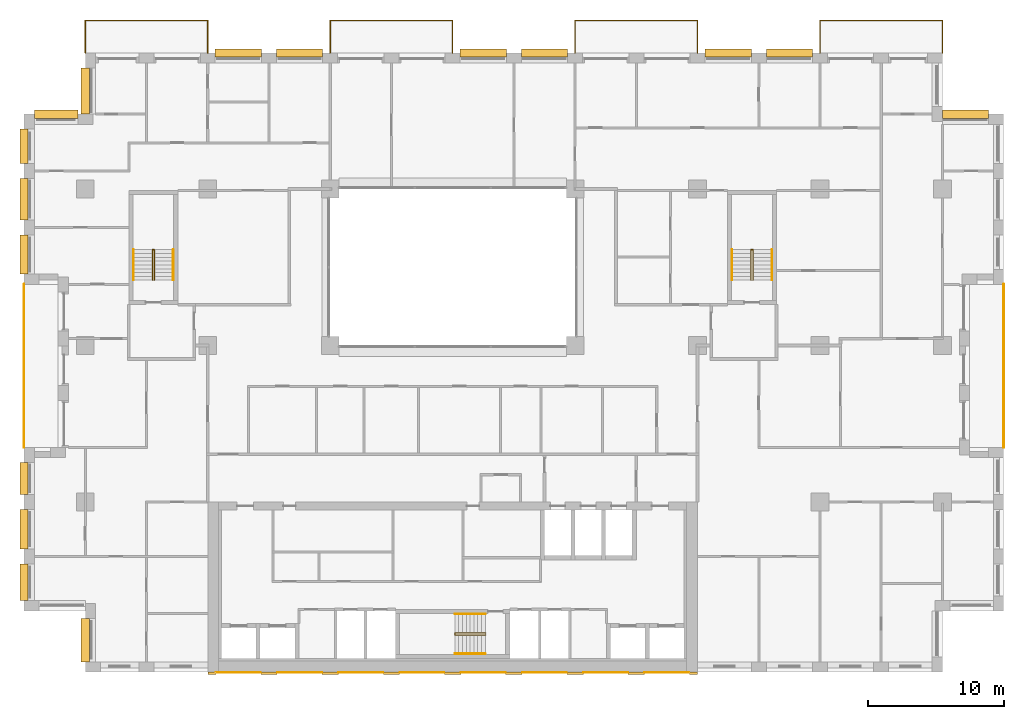
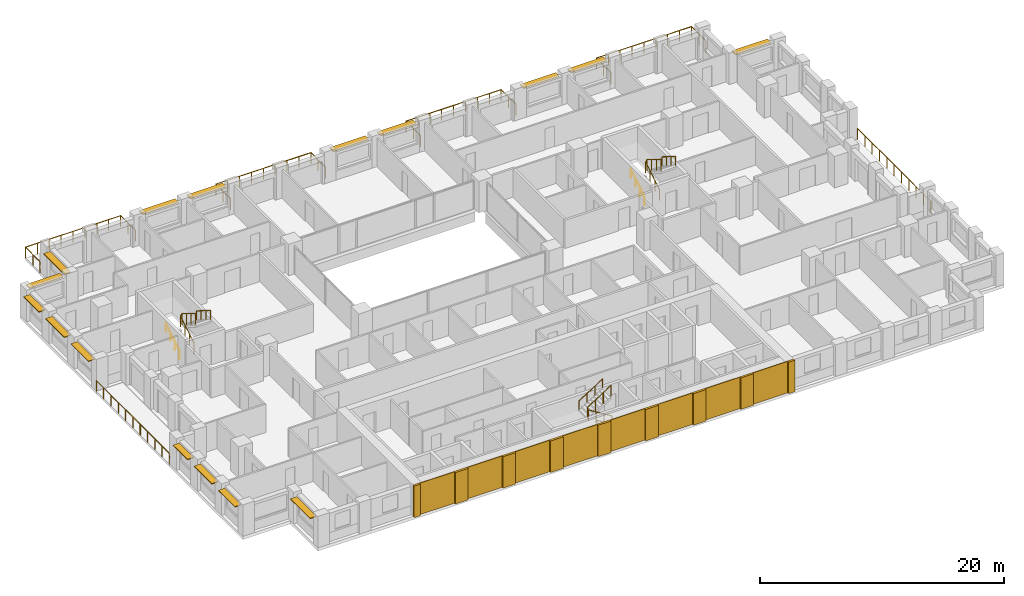
# One storey, part 16 of 16: 17 coverings, 16 shading devices, 15 railings.
"""IFC4 building model written with IfcOpenShell, lengths in metres."""

from ifc_helpers import new_model, si_unit, direction, frame, origin, origin_2d, place, context, subcontext, project, spatial, rectangle, circle, extrude, material, layer, layer_set, type_object, element, save


model = new_model("IFC4")

# Units and contexts
model_context = context("Model", 3, precision=1e-05, world=origin(), true_north=direction((0.0, 1.0)))
body_context = subcontext(model_context, "Body", "Model", "MODEL_VIEW")
ifc_project = project(units=[si_unit("LENGTHUNIT", "METRE"), si_unit("AREAUNIT", "SQUARE_METRE"), si_unit("VOLUMEUNIT", "CUBIC_METRE"), si_unit("PLANEANGLEUNIT", "RADIAN"), si_unit("MASSUNIT", "GRAM", prefix="KILO")], contexts=[model_context])

# Site, building, storey
site_placement = place(None, origin())
site = spatial("IfcSite", under=ifc_project, at=site_placement, CompositionType="ELEMENT")
building_placement = place(site_placement, origin())
building = spatial("IfcBuilding", under=site, at=building_placement, Name="Brigalow Station Residences", CompositionType="ELEMENT")
storey_placement = place(building_placement, frame((0.0, 0.0, 99.300048828125)))
storey = spatial("IfcBuildingStorey", under=building, at=storey_placement, Name="L28", CompositionType="ELEMENT", Elevation=99.300048828125)

# Railings
ifc_material_1 = material(Name="Stainless steel balustrade with laminated glass infill", Category="steel")
railing_type_1 = type_object("IfcRailingType", Name="BALCONY GUARD 1100", PredefinedType="GUARDRAIL", material=ifc_material_1)
railing_1_placement = place(storey_placement, frame((76.5, 16.5, -0.0400390625)))
element("IfcRailing", 1, at=railing_1_placement, inside=storey, type_object=railing_type_1, Name="L28/balcony-guard/1", PredefinedType="GUARDRAIL", context=body_context, shape_type="SweptSolid", body=[
    extrude(circle(Radius=0.02392578125, at=origin_2d()), frame((0.0, 0.0, 1.076171875), z_axis=(0.0, 1.0, 0.0), x_axis=(-1.0, 0.0, 0.0)), (0.0, 0.0, 1.0), 12.0),
    extrude(circle(Radius=0.02099609375, at=origin_2d()), origin(), (0.0, 0.0, 1.0), 1.052001953125),
    extrude(circle(Radius=0.02099609375, at=origin_2d()), frame((0.0, 1.199951171875, 0.0)), (0.0, 0.0, 1.0), 1.052001953125),
    extrude(circle(Radius=0.02099609375, at=origin_2d()), frame((0.0, 2.39990234375, 0.0)), (0.0, 0.0, 1.0), 1.052001953125),
    extrude(circle(Radius=0.02099609375, at=origin_2d()), frame((0.0, 3.60009765625, 0.0)), (0.0, 0.0, 1.0), 1.052001953125),
    extrude(circle(Radius=0.02099609375, at=origin_2d()), frame((0.0, 4.800048828125, 0.0)), (0.0, 0.0, 1.0), 1.052001953125),
    extrude(circle(Radius=0.02099609375, at=origin_2d()), frame((0.0, 6.0, 0.0)), (0.0, 0.0, 1.0), 1.052001953125),
    extrude(circle(Radius=0.02099609375, at=origin_2d()), frame((0.0, 7.199951171875, 0.0)), (0.0, 0.0, 1.0), 1.052001953125),
    extrude(circle(Radius=0.02099609375, at=origin_2d()), frame((0.0, 8.39990234375, 0.0)), (0.0, 0.0, 1.0), 1.052001953125),
    extrude(circle(Radius=0.02099609375, at=origin_2d()), frame((0.0, 9.60009765625, 0.0)), (0.0, 0.0, 1.0), 1.052001953125),
    extrude(circle(Radius=0.02099609375, at=origin_2d()), frame((0.0, 10.800048828125, 0.0)), (0.0, 0.0, 1.0), 1.052001953125),
    extrude(circle(Radius=0.02099609375, at=origin_2d()), frame((0.0, 12.0, 0.0)), (0.0, 0.0, 1.0), 1.052001953125),
])
railing_2_placement = place(storey_placement, frame((72.0, 45.5, -0.0400390625)))
element("IfcRailing", 2, at=railing_2_placement, inside=storey, type_object=railing_type_1, Name="L28/balcony-guard/2", PredefinedType="GUARDRAIL", context=body_context, shape_type="SweptSolid", body=[
    extrude(circle(Radius=0.02392578125, at=origin_2d()), frame((0.0, 0.0, 1.076171875), z_axis=(0.0, 1.0, 0.0), x_axis=(-1.0, 0.0, 0.0)), (0.0, 0.0, 1.0), 2.39990234375),
    extrude(circle(Radius=0.02392578125, at=origin_2d()), frame((0.0, 2.39990234375, 1.076171875), z_axis=(-1.0, 0.0, 0.0), x_axis=(0.0, -1.0, 0.0)), (0.0, 0.0, 1.0), 9.0),
    extrude(circle(Radius=0.02392578125, at=origin_2d()), frame((-9.0, 2.39990234375, 1.076171875), z_axis=(0.0, -1.0, 0.0), x_axis=(1.0, 0.0, 0.0)), (0.0, 0.0, 1.0), 2.39990234375),
    extrude(circle(Radius=0.02099609375, at=origin_2d()), origin(), (0.0, 0.0, 1.0), 1.052001953125),
    extrude(circle(Radius=0.02099609375, at=origin_2d()), frame((0.0, 1.199951171875, 0.0)), (0.0, 0.0, 1.0), 1.052001953125),
    extrude(circle(Radius=0.02099609375, at=origin_2d()), frame((0.0, 2.39990234375, 0.0)), (0.0, 0.0, 1.0), 1.052001953125),
    extrude(circle(Radius=0.02099609375, at=origin_2d()), frame((-1.125, 2.39990234375, 0.0)), (0.0, 0.0, 1.0), 1.052001953125),
    extrude(circle(Radius=0.02099609375, at=origin_2d()), frame((-2.25, 2.39990234375, 0.0)), (0.0, 0.0, 1.0), 1.052001953125),
    extrude(circle(Radius=0.02099609375, at=origin_2d()), frame((-3.375, 2.39990234375, 0.0)), (0.0, 0.0, 1.0), 1.052001953125),
    extrude(circle(Radius=0.02099609375, at=origin_2d()), frame((-4.5, 2.39990234375, 0.0)), (0.0, 0.0, 1.0), 1.052001953125),
    extrude(circle(Radius=0.02099609375, at=origin_2d()), frame((-5.625, 2.39990234375, 0.0)), (0.0, 0.0, 1.0), 1.052001953125),
    extrude(circle(Radius=0.02099609375, at=origin_2d()), frame((-6.75, 2.39990234375, 0.0)), (0.0, 0.0, 1.0), 1.052001953125),
    extrude(circle(Radius=0.02099609375, at=origin_2d()), frame((-7.875, 2.39990234375, 0.0)), (0.0, 0.0, 1.0), 1.052001953125),
    extrude(circle(Radius=0.02099609375, at=origin_2d()), frame((-9.0, 2.39990234375, 0.0)), (0.0, 0.0, 1.0), 1.052001953125),
    extrude(circle(Radius=0.02099609375, at=origin_2d()), frame((-9.0, 1.199951171875, 0.0)), (0.0, 0.0, 1.0), 1.052001953125),
    extrude(circle(Radius=0.02099609375, at=origin_2d()), frame((-9.0, 0.0, 0.0)), (0.0, 0.0, 1.0), 1.052001953125),
])
railing_3_placement = place(storey_placement, frame((54.0, 45.5, -0.0400390625)))
element("IfcRailing", 3, at=railing_3_placement, inside=storey, type_object=railing_type_1, Name="L28/balcony-guard/3", PredefinedType="GUARDRAIL", context=body_context, shape_type="SweptSolid", body=[
    extrude(circle(Radius=0.02392578125, at=origin_2d()), frame((0.0, 0.0, 1.076171875), z_axis=(0.0, 1.0, 0.0), x_axis=(-1.0, 0.0, 0.0)), (0.0, 0.0, 1.0), 2.39990234375),
    extrude(circle(Radius=0.02392578125, at=origin_2d()), frame((0.0, 2.39990234375, 1.076171875), z_axis=(-1.0, 0.0, 0.0), x_axis=(0.0, -1.0, 0.0)), (0.0, 0.0, 1.0), 9.0),
    extrude(circle(Radius=0.02392578125, at=origin_2d()), frame((-9.0, 2.39990234375, 1.076171875), z_axis=(0.0, -1.0, 0.0), x_axis=(1.0, 0.0, 0.0)), (0.0, 0.0, 1.0), 2.39990234375),
    extrude(circle(Radius=0.02099609375, at=origin_2d()), origin(), (0.0, 0.0, 1.0), 1.052001953125),
    extrude(circle(Radius=0.02099609375, at=origin_2d()), frame((0.0, 1.199951171875, 0.0)), (0.0, 0.0, 1.0), 1.052001953125),
    extrude(circle(Radius=0.02099609375, at=origin_2d()), frame((0.0, 2.39990234375, 0.0)), (0.0, 0.0, 1.0), 1.052001953125),
    extrude(circle(Radius=0.02099609375, at=origin_2d()), frame((-1.125, 2.39990234375, 0.0)), (0.0, 0.0, 1.0), 1.052001953125),
    extrude(circle(Radius=0.02099609375, at=origin_2d()), frame((-2.25, 2.39990234375, 0.0)), (0.0, 0.0, 1.0), 1.052001953125),
    extrude(circle(Radius=0.02099609375, at=origin_2d()), frame((-3.375, 2.39990234375, 0.0)), (0.0, 0.0, 1.0), 1.052001953125),
    extrude(circle(Radius=0.02099609375, at=origin_2d()), frame((-4.5, 2.39990234375, 0.0)), (0.0, 0.0, 1.0), 1.052001953125),
    extrude(circle(Radius=0.02099609375, at=origin_2d()), frame((-5.625, 2.39990234375, 0.0)), (0.0, 0.0, 1.0), 1.052001953125),
    extrude(circle(Radius=0.02099609375, at=origin_2d()), frame((-6.75, 2.39990234375, 0.0)), (0.0, 0.0, 1.0), 1.052001953125),
    extrude(circle(Radius=0.02099609375, at=origin_2d()), frame((-7.875, 2.39990234375, 0.0)), (0.0, 0.0, 1.0), 1.052001953125),
    extrude(circle(Radius=0.02099609375, at=origin_2d()), frame((-9.0, 2.39990234375, 0.0)), (0.0, 0.0, 1.0), 1.052001953125),
    extrude(circle(Radius=0.02099609375, at=origin_2d()), frame((-9.0, 1.199951171875, 0.0)), (0.0, 0.0, 1.0), 1.052001953125),
    extrude(circle(Radius=0.02099609375, at=origin_2d()), frame((-9.0, 0.0, 0.0)), (0.0, 0.0, 1.0), 1.052001953125),
])
railing_4_placement = place(storey_placement, frame((36.0, 45.5, -0.0400390625)))
element("IfcRailing", 4, at=railing_4_placement, inside=storey, type_object=railing_type_1, Name="L28/balcony-guard/4", PredefinedType="GUARDRAIL", context=body_context, shape_type="SweptSolid", body=[
    extrude(circle(Radius=0.02392578125, at=origin_2d()), frame((0.0, 0.0, 1.076171875), z_axis=(0.0, 1.0, 0.0), x_axis=(-1.0, 0.0, 0.0)), (0.0, 0.0, 1.0), 2.39990234375),
    extrude(circle(Radius=0.02392578125, at=origin_2d()), frame((0.0, 2.39990234375, 1.076171875), z_axis=(-1.0, 0.0, 0.0), x_axis=(0.0, -1.0, 0.0)), (0.0, 0.0, 1.0), 9.0),
    extrude(circle(Radius=0.02392578125, at=origin_2d()), frame((-9.0, 2.39990234375, 1.076171875), z_axis=(0.0, -1.0, 0.0), x_axis=(1.0, 0.0, 0.0)), (0.0, 0.0, 1.0), 2.39990234375),
    extrude(circle(Radius=0.02099609375, at=origin_2d()), origin(), (0.0, 0.0, 1.0), 1.052001953125),
    extrude(circle(Radius=0.02099609375, at=origin_2d()), frame((0.0, 1.199951171875, 0.0)), (0.0, 0.0, 1.0), 1.052001953125),
    extrude(circle(Radius=0.02099609375, at=origin_2d()), frame((0.0, 2.39990234375, 0.0)), (0.0, 0.0, 1.0), 1.052001953125),
    extrude(circle(Radius=0.02099609375, at=origin_2d()), frame((-1.125, 2.39990234375, 0.0)), (0.0, 0.0, 1.0), 1.052001953125),
    extrude(circle(Radius=0.02099609375, at=origin_2d()), frame((-2.25, 2.39990234375, 0.0)), (0.0, 0.0, 1.0), 1.052001953125),
    extrude(circle(Radius=0.02099609375, at=origin_2d()), frame((-3.375, 2.39990234375, 0.0)), (0.0, 0.0, 1.0), 1.052001953125),
    extrude(circle(Radius=0.02099609375, at=origin_2d()), frame((-4.5, 2.39990234375, 0.0)), (0.0, 0.0, 1.0), 1.052001953125),
    extrude(circle(Radius=0.02099609375, at=origin_2d()), frame((-5.625, 2.39990234375, 0.0)), (0.0, 0.0, 1.0), 1.052001953125),
    extrude(circle(Radius=0.02099609375, at=origin_2d()), frame((-6.75, 2.39990234375, 0.0)), (0.0, 0.0, 1.0), 1.052001953125),
    extrude(circle(Radius=0.02099609375, at=origin_2d()), frame((-7.875, 2.39990234375, 0.0)), (0.0, 0.0, 1.0), 1.052001953125),
    extrude(circle(Radius=0.02099609375, at=origin_2d()), frame((-9.0, 2.39990234375, 0.0)), (0.0, 0.0, 1.0), 1.052001953125),
    extrude(circle(Radius=0.02099609375, at=origin_2d()), frame((-9.0, 1.199951171875, 0.0)), (0.0, 0.0, 1.0), 1.052001953125),
    extrude(circle(Radius=0.02099609375, at=origin_2d()), frame((-9.0, 0.0, 0.0)), (0.0, 0.0, 1.0), 1.052001953125),
])
railing_5_placement = place(storey_placement, frame((18.0, 45.5, -0.0400390625)))
element("IfcRailing", 5, at=railing_5_placement, inside=storey, type_object=railing_type_1, Name="L28/balcony-guard/5", PredefinedType="GUARDRAIL", context=body_context, shape_type="SweptSolid", body=[
    extrude(circle(Radius=0.02392578125, at=origin_2d()), frame((0.0, 0.0, 1.076171875), z_axis=(0.0, 1.0, 0.0), x_axis=(-1.0, 0.0, 0.0)), (0.0, 0.0, 1.0), 2.39990234375),
    extrude(circle(Radius=0.02392578125, at=origin_2d()), frame((0.0, 2.39990234375, 1.076171875), z_axis=(-1.0, 0.0, 0.0), x_axis=(0.0, -1.0, 0.0)), (0.0, 0.0, 1.0), 9.0),
    extrude(circle(Radius=0.02392578125, at=origin_2d()), frame((-9.0, 2.39990234375, 1.076171875), z_axis=(0.0, -1.0, 0.0), x_axis=(1.0, 0.0, 0.0)), (0.0, 0.0, 1.0), 2.39990234375),
    extrude(circle(Radius=0.02099609375, at=origin_2d()), origin(), (0.0, 0.0, 1.0), 1.052001953125),
    extrude(circle(Radius=0.02099609375, at=origin_2d()), frame((0.0, 1.199951171875, 0.0)), (0.0, 0.0, 1.0), 1.052001953125),
    extrude(circle(Radius=0.02099609375, at=origin_2d()), frame((0.0, 2.39990234375, 0.0)), (0.0, 0.0, 1.0), 1.052001953125),
    extrude(circle(Radius=0.02099609375, at=origin_2d()), frame((-1.125, 2.39990234375, 0.0)), (0.0, 0.0, 1.0), 1.052001953125),
    extrude(circle(Radius=0.02099609375, at=origin_2d()), frame((-2.25, 2.39990234375, 0.0)), (0.0, 0.0, 1.0), 1.052001953125),
    extrude(circle(Radius=0.02099609375, at=origin_2d()), frame((-3.375, 2.39990234375, 0.0)), (0.0, 0.0, 1.0), 1.052001953125),
    extrude(circle(Radius=0.02099609375, at=origin_2d()), frame((-4.5, 2.39990234375, 0.0)), (0.0, 0.0, 1.0), 1.052001953125),
    extrude(circle(Radius=0.02099609375, at=origin_2d()), frame((-5.625, 2.39990234375, 0.0)), (0.0, 0.0, 1.0), 1.052001953125),
    extrude(circle(Radius=0.02099609375, at=origin_2d()), frame((-6.75, 2.39990234375, 0.0)), (0.0, 0.0, 1.0), 1.052001953125),
    extrude(circle(Radius=0.02099609375, at=origin_2d()), frame((-7.875, 2.39990234375, 0.0)), (0.0, 0.0, 1.0), 1.052001953125),
    extrude(circle(Radius=0.02099609375, at=origin_2d()), frame((-9.0, 2.39990234375, 0.0)), (0.0, 0.0, 1.0), 1.052001953125),
    extrude(circle(Radius=0.02099609375, at=origin_2d()), frame((-9.0, 1.199951171875, 0.0)), (0.0, 0.0, 1.0), 1.052001953125),
    extrude(circle(Radius=0.02099609375, at=origin_2d()), frame((-9.0, 0.0, 0.0)), (0.0, 0.0, 1.0), 1.052001953125),
])
railing_6_placement = place(storey_placement, frame((4.5, 28.5, -0.0400390625)))
element("IfcRailing", 6, at=railing_6_placement, inside=storey, type_object=railing_type_1, Name="L28/balcony-guard/6", PredefinedType="GUARDRAIL", context=body_context, shape_type="SweptSolid", body=[
    extrude(circle(Radius=0.02392578125, at=origin_2d()), frame((0.0, 0.0, 1.076171875), z_axis=(0.0, -1.0, 0.0), x_axis=(1.0, 0.0, 0.0)), (0.0, 0.0, 1.0), 12.0),
    extrude(circle(Radius=0.02099609375, at=origin_2d()), origin(), (0.0, 0.0, 1.0), 1.052001953125),
    extrude(circle(Radius=0.02099609375, at=origin_2d()), frame((0.0, -1.199951171875, 0.0)), (0.0, 0.0, 1.0), 1.052001953125),
    extrude(circle(Radius=0.02099609375, at=origin_2d()), frame((0.0, -2.39990234375, 0.0)), (0.0, 0.0, 1.0), 1.052001953125),
    extrude(circle(Radius=0.02099609375, at=origin_2d()), frame((0.0, -3.60009765625, 0.0)), (0.0, 0.0, 1.0), 1.052001953125),
    extrude(circle(Radius=0.02099609375, at=origin_2d()), frame((0.0, -4.800048828125, 0.0)), (0.0, 0.0, 1.0), 1.052001953125),
    extrude(circle(Radius=0.02099609375, at=origin_2d()), frame((0.0, -6.0, 0.0)), (0.0, 0.0, 1.0), 1.052001953125),
    extrude(circle(Radius=0.02099609375, at=origin_2d()), frame((0.0, -7.199951171875, 0.0)), (0.0, 0.0, 1.0), 1.052001953125),
    extrude(circle(Radius=0.02099609375, at=origin_2d()), frame((0.0, -8.39990234375, 0.0)), (0.0, 0.0, 1.0), 1.052001953125),
    extrude(circle(Radius=0.02099609375, at=origin_2d()), frame((0.0, -9.60009765625, 0.0)), (0.0, 0.0, 1.0), 1.052001953125),
    extrude(circle(Radius=0.02099609375, at=origin_2d()), frame((0.0, -10.800048828125, 0.0)), (0.0, 0.0, 1.0), 1.052001953125),
    extrude(circle(Radius=0.02099609375, at=origin_2d()), frame((0.0, -12.0, 0.0)), (0.0, 0.0, 1.0), 1.052001953125),
])

# Coverings
ifc_material_2 = material(Name="Clay brick masonry", Category="masonry")
ifc_layer_1 = layer(ifc_material_2, 0.06005859375)
ifc_layer_set_1 = layer_set([ifc_layer_1], Name="BRICK PANEL FACING 60")
covering_type_1 = type_object("IfcCoveringType", Name="BRICK PANEL FACING 60", PredefinedType="CLADDING", material=ifc_layer_set_1)
for number, where, z_axis, x_axis, name in (
    (7, (20.25, -0.030029296875, 0.0), (0.0, 0.0, 1.0), (1.0, 0.0, 0.0), "L28/rear-facing/panel-1"),
    (8, (24.75, -0.030029296875, 0.0), (0.0, 0.0, 1.0), (1.0, 0.0, 0.0), "L28/rear-facing/panel-2"),
    (9, (29.25, -0.030029296875, 0.0), (0.0, 0.0, 1.0), (1.0, 0.0, 0.0), "L28/rear-facing/panel-3"),
    (10, (33.75, -0.030029296875, 0.0), (0.0, 0.0, 1.0), (1.0, 0.0, 0.0), "L28/rear-facing/panel-4"),
    (11, (38.25, -0.030029296875, 0.0), (0.0, 0.0, 1.0), (1.0, 0.0, 0.0), "L28/rear-facing/panel-5"),
    (12, (42.75, -0.030029296875, 0.0), (0.0, 0.0, 1.0), (1.0, 0.0, 0.0), "L28/rear-facing/panel-6"),
    (13, (47.25, -0.030029296875, 0.0), (0.0, 0.0, 1.0), (1.0, 0.0, 0.0), "L28/rear-facing/panel-7"),
    (14, (51.75, -0.030029296875, 0.0), (0.0, 0.0, 1.0), (1.0, 0.0, 0.0), "L28/rear-facing/panel-8"),
):
    element("IfcCovering", number, at=place(storey_placement, frame(where, z_axis=z_axis, x_axis=x_axis)), inside=storey, type_object=covering_type_1, Name=name, PredefinedType="CLADDING", context=body_context, shape_type="SweptSolid", body=[
        extrude(rectangle(XDim=3.300048828125, YDim=0.06005859375, at=origin_2d()), origin(), (0.0, 0.0, 1.0), 3.14990234375),
    ])
ifc_material_3 = material(Name="Clay brick masonry", Category="masonry")
ifc_layer_2 = layer(ifc_material_3, 0.199951171875)
ifc_layer_set_2 = layer_set([ifc_layer_2], Name="BRICK PIER FACING 200")
covering_type_2 = type_object("IfcCoveringType", Name="BRICK PIER FACING 200", PredefinedType="CLADDING", material=ifc_layer_set_2)
covering_1_placement = place(storey_placement, frame((18.300048828125, -0.10009765625, 0.0), z_axis=(0.0, 0.0, 1.0), x_axis=(1.0, 0.0, 0.0)))
element("IfcCovering", 15, at=covering_1_placement, inside=storey, type_object=covering_type_2, Name="L28/rear-facing/pier-1", PredefinedType="CLADDING", context=body_context, shape_type="SweptSolid", body=[
    extrude(rectangle(XDim=0.60009765625, YDim=0.199951171875, at=origin_2d()), origin(), (0.0, 0.0, 1.0), 3.14990234375),
])
for number, where, z_axis, x_axis, name in (
    (16, (22.5, -0.10009765625, 0.0), (0.0, 0.0, 1.0), (1.0, 0.0, 0.0), "L28/rear-facing/pier-2"),
    (17, (27.0, -0.10009765625, 0.0), (0.0, 0.0, 1.0), (1.0, 0.0, 0.0), "L28/rear-facing/pier-3"),
    (18, (31.5, -0.10009765625, 0.0), (0.0, 0.0, 1.0), (1.0, 0.0, 0.0), "L28/rear-facing/pier-4"),
    (19, (36.0, -0.10009765625, 0.0), (0.0, 0.0, 1.0), (1.0, 0.0, 0.0), "L28/rear-facing/pier-5"),
    (20, (40.5, -0.10009765625, 0.0), (0.0, 0.0, 1.0), (1.0, 0.0, 0.0), "L28/rear-facing/pier-6"),
    (21, (45.0, -0.10009765625, 0.0), (0.0, 0.0, 1.0), (1.0, 0.0, 0.0), "L28/rear-facing/pier-7"),
    (22, (49.5, -0.10009765625, 0.0), (0.0, 0.0, 1.0), (1.0, 0.0, 0.0), "L28/rear-facing/pier-8"),
):
    element("IfcCovering", number, at=place(storey_placement, frame(where, z_axis=z_axis, x_axis=x_axis)), inside=storey, type_object=covering_type_2, Name=name, PredefinedType="CLADDING", context=body_context, shape_type="SweptSolid", body=[
        extrude(rectangle(XDim=1.199951171875, YDim=0.199951171875, at=origin_2d()), origin(), (0.0, 0.0, 1.0), 3.14990234375),
    ])
covering_2_placement = place(storey_placement, frame((53.699951171875, -0.10009765625, 0.0), z_axis=(0.0, 0.0, 1.0), x_axis=(1.0, 0.0, 0.0)))
element("IfcCovering", 23, at=covering_2_placement, inside=storey, type_object=covering_type_2, Name="L28/rear-facing/pier-9", PredefinedType="CLADDING", context=body_context, shape_type="SweptSolid", body=[
    extrude(rectangle(XDim=0.60009765625, YDim=0.199951171875, at=origin_2d()), origin(), (0.0, 0.0, 1.0), 3.14990234375),
])

# Railings
ifc_material_4 = material(Name="Stainless steel balustrade", Category="steel")
railing_type_2 = type_object("IfcRailingType", Name="STAIR GUARD 1100", PredefinedType="GUARDRAIL", material=ifc_material_4)
railing_7_placement = place(storey_placement, frame((38.39990234375, 2.72998046875, 0.175048828125)))
element("IfcRailing", 24, at=railing_7_placement, inside=storey, type_object=railing_type_2, Name="GUARD GR-2", PredefinedType="GUARDRAIL", context=body_context, shape_type="SweptSolid", body=[
    extrude(circle(Radius=0.02392578125, at=origin_2d()), frame((0.0, 0.0, 1.076171875), z_axis=(-0.848013881152, 0.0, 0.529974015752), x_axis=(0.0, -1.0, 0.0)), (0.0, 0.0, 1.0), 2.641357421875),
    extrude(circle(Radius=0.02392578125, at=origin_2d()), frame((-2.239990234375, 0.0, 2.47607421875), z_axis=(0.0, 0.624960567888, 0.780656319122), x_axis=(-1.0, 0.0, 0.0)), (0.0, 0.0, 1.0), 0.22412109375),
    extrude(circle(Radius=0.02392578125, at=origin_2d()), frame((-2.239990234375, 0.14013671875, 2.65087890625), z_axis=(0.848013881152, 0.0, 0.529974015752), x_axis=(0.0, 1.0, 0.0)), (0.0, 0.0, 1.0), 2.641357421875),
    extrude(circle(Radius=0.02099609375, at=origin_2d()), origin(), (0.0, 0.0, 1.0), 1.052001953125),
    extrude(circle(Radius=0.02099609375, at=origin_2d()), frame((-0.74658203125, 0.0, 0.466552734375)), (0.0, 0.0, 1.0), 1.052001953125),
    extrude(circle(Radius=0.02099609375, at=origin_2d()), frame((-1.493408203125, 0.0, 0.933349609375)), (0.0, 0.0, 1.0), 1.052001953125),
    extrude(circle(Radius=0.02099609375, at=origin_2d()), frame((-2.239990234375, 0.0, 1.39990234375)), (0.0, 0.0, 1.0), 1.052001953125),
    extrude(circle(Radius=0.02099609375, at=origin_2d()), frame((-2.239990234375, 0.14013671875, 1.574951171875)), (0.0, 0.0, 1.0), 1.052001953125),
    extrude(circle(Radius=0.02099609375, at=origin_2d()), frame((-1.493408203125, 0.14013671875, 2.04150390625)), (0.0, 0.0, 1.0), 1.052001953125),
    extrude(circle(Radius=0.02099609375, at=origin_2d()), frame((-0.74658203125, 0.14013671875, 2.50830078125)), (0.0, 0.0, 1.0), 1.052001953125),
    extrude(circle(Radius=0.02099609375, at=origin_2d()), frame((0.0, 0.14013671875, 2.974853515625)), (0.0, 0.0, 1.0), 1.052001953125),
])
for number, where, name in (
    (25, (13.929931640625, 28.800048828125, 0.175048828125), "GUARD GR-1"),
    (26, (57.929931640625, 28.800048828125, 0.175048828125), "GUARD GR-3"),
):
    element("IfcRailing", number, at=place(storey_placement, frame(where)), inside=storey, type_object=railing_type_2, Name=name, PredefinedType="GUARDRAIL", context=body_context, shape_type="SweptSolid", body=[
        extrude(circle(Radius=0.02392578125, at=origin_2d()), frame((0.0, 0.0, 1.076171875), z_axis=(0.0, 0.848013881152, 0.529974015752), x_axis=(-1.0, 0.0, 0.0)), (0.0, 0.0, 1.0), 2.641357421875),
        extrude(circle(Radius=0.02392578125, at=origin_2d()), frame((0.0, 2.239990234375, 2.47607421875), z_axis=(0.624960567888, 0.0, 0.780656319122), x_axis=(0.0, 1.0, 0.0)), (0.0, 0.0, 1.0), 0.22412109375),
        extrude(circle(Radius=0.02392578125, at=origin_2d()), frame((0.14013671875, 2.239990234375, 2.65087890625), z_axis=(0.0, -0.848013881152, 0.529974015752), x_axis=(1.0, 0.0, 0.0)), (0.0, 0.0, 1.0), 2.641357421875),
        extrude(circle(Radius=0.02099609375, at=origin_2d()), origin(), (0.0, 0.0, 1.0), 1.052001953125),
        extrude(circle(Radius=0.02099609375, at=origin_2d()), frame((0.0, 0.74658203125, 0.466552734375)), (0.0, 0.0, 1.0), 1.052001953125),
        extrude(circle(Radius=0.02099609375, at=origin_2d()), frame((0.0, 1.493408203125, 0.933349609375)), (0.0, 0.0, 1.0), 1.052001953125),
        extrude(circle(Radius=0.02099609375, at=origin_2d()), frame((0.0, 2.239990234375, 1.39990234375)), (0.0, 0.0, 1.0), 1.052001953125),
        extrude(circle(Radius=0.02099609375, at=origin_2d()), frame((0.14013671875, 2.239990234375, 1.574951171875)), (0.0, 0.0, 1.0), 1.052001953125),
        extrude(circle(Radius=0.02099609375, at=origin_2d()), frame((0.14013671875, 1.493408203125, 2.04150390625)), (0.0, 0.0, 1.0), 1.052001953125),
        extrude(circle(Radius=0.02099609375, at=origin_2d()), frame((0.14013671875, 0.74658203125, 2.50830078125)), (0.0, 0.0, 1.0), 1.052001953125),
        extrude(circle(Radius=0.02099609375, at=origin_2d()), frame((0.14013671875, 0.0, 2.974853515625)), (0.0, 0.0, 1.0), 1.052001953125),
    ])
ifc_material_5 = material(Name="Stainless steel handrail", Category="steel")
railing_type_3 = type_object("IfcRailingType", Name="STAIR HANDRAIL 900", PredefinedType="HANDRAIL", material=ifc_material_5)
railing_8_placement = place(storey_placement, frame((38.39990234375, 1.340087890625, 0.175048828125)))
element("IfcRailing", 27, at=railing_8_placement, inside=storey, type_object=railing_type_3, Name="HANDRAIL HR-21", PredefinedType="HANDRAIL", context=body_context, shape_type="SweptSolid", body=[
    extrude(circle(Radius=0.02392578125, at=origin_2d()), frame((0.0, 0.0, 0.8759765625), z_axis=(-0.848013881152, 0.0, 0.529974015752), x_axis=(0.0, -1.0, 0.0)), (0.0, 0.0, 1.0), 2.641357421875),
    extrude(circle(Radius=0.02099609375, at=origin_2d()), origin(), (0.0, 0.0, 1.0), 0.851806640625),
    extrude(circle(Radius=0.02099609375, at=origin_2d()), frame((-0.74658203125, 0.0, 0.466552734375)), (0.0, 0.0, 1.0), 0.851806640625),
    extrude(circle(Radius=0.02099609375, at=origin_2d()), frame((-1.493408203125, 0.0, 0.933349609375)), (0.0, 0.0, 1.0), 0.851806640625),
    extrude(circle(Radius=0.02099609375, at=origin_2d()), frame((-2.239990234375, 0.0, 1.39990234375)), (0.0, 0.0, 1.0), 0.851806640625),
])
railing_9_placement = place(storey_placement, frame((36.159912109375, 4.260009765625, 1.75)))
element("IfcRailing", 28, at=railing_9_placement, inside=storey, type_object=railing_type_3, Name="HANDRAIL HR-22", PredefinedType="HANDRAIL", context=body_context, shape_type="SweptSolid", body=[
    extrude(circle(Radius=0.02392578125, at=origin_2d()), frame((0.0, 0.0, 0.8759765625), z_axis=(0.848013881152, 0.0, 0.529974015752), x_axis=(0.0, 1.0, 0.0)), (0.0, 0.0, 1.0), 2.641357421875),
    extrude(circle(Radius=0.02099609375, at=origin_2d()), origin(), (0.0, 0.0, 1.0), 0.851806640625),
    extrude(circle(Radius=0.02099609375, at=origin_2d()), frame((0.74658203125, 0.0, 0.466552734375)), (0.0, 0.0, 1.0), 0.851806640625),
    extrude(circle(Radius=0.02099609375, at=origin_2d()), frame((1.493408203125, 0.0, 0.933349609375)), (0.0, 0.0, 1.0), 0.851806640625),
    extrude(circle(Radius=0.02099609375, at=origin_2d()), frame((2.239990234375, 0.0, 1.39990234375)), (0.0, 0.0, 1.0), 0.851806640625),
])
railing_10_placement = place(storey_placement, frame((12.5400390625, 28.800048828125, 0.175048828125)))
element("IfcRailing", 29, at=railing_10_placement, inside=storey, type_object=railing_type_3, Name="HANDRAIL HR-11", PredefinedType="HANDRAIL", context=body_context, shape_type="SweptSolid", body=[
    extrude(circle(Radius=0.02392578125, at=origin_2d()), frame((0.0, 0.0, 0.8759765625), z_axis=(0.0, 0.848013881152, 0.529974015752), x_axis=(-1.0, 0.0, 0.0)), (0.0, 0.0, 1.0), 2.641357421875),
    extrude(circle(Radius=0.02099609375, at=origin_2d()), origin(), (0.0, 0.0, 1.0), 0.851806640625),
    extrude(circle(Radius=0.02099609375, at=origin_2d()), frame((0.0, 0.74658203125, 0.466552734375)), (0.0, 0.0, 1.0), 0.851806640625),
    extrude(circle(Radius=0.02099609375, at=origin_2d()), frame((0.0, 1.493408203125, 0.933349609375)), (0.0, 0.0, 1.0), 0.851806640625),
    extrude(circle(Radius=0.02099609375, at=origin_2d()), frame((0.0, 2.239990234375, 1.39990234375)), (0.0, 0.0, 1.0), 0.851806640625),
])
railing_11_placement = place(storey_placement, frame((15.4599609375, 31.0400390625, 1.75)))
element("IfcRailing", 30, at=railing_11_placement, inside=storey, type_object=railing_type_3, Name="HANDRAIL HR-12", PredefinedType="HANDRAIL", context=body_context, shape_type="SweptSolid", body=[
    extrude(circle(Radius=0.02392578125, at=origin_2d()), frame((0.0, 0.0, 0.8759765625), z_axis=(0.0, -0.848013881152, 0.529974015752), x_axis=(1.0, 0.0, 0.0)), (0.0, 0.0, 1.0), 2.641357421875),
    extrude(circle(Radius=0.02099609375, at=origin_2d()), origin(), (0.0, 0.0, 1.0), 0.851806640625),
    extrude(circle(Radius=0.02099609375, at=origin_2d()), frame((0.0, -0.74658203125, 0.466552734375)), (0.0, 0.0, 1.0), 0.851806640625),
    extrude(circle(Radius=0.02099609375, at=origin_2d()), frame((0.0, -1.493408203125, 0.933349609375)), (0.0, 0.0, 1.0), 0.851806640625),
    extrude(circle(Radius=0.02099609375, at=origin_2d()), frame((0.0, -2.239990234375, 1.39990234375)), (0.0, 0.0, 1.0), 0.851806640625),
])
railing_12_placement = place(storey_placement, frame((56.5400390625, 28.800048828125, 0.175048828125)))
element("IfcRailing", 31, at=railing_12_placement, inside=storey, type_object=railing_type_3, Name="HANDRAIL HR-31", PredefinedType="HANDRAIL", context=body_context, shape_type="SweptSolid", body=[
    extrude(circle(Radius=0.02392578125, at=origin_2d()), frame((0.0, 0.0, 0.8759765625), z_axis=(0.0, 0.848013881152, 0.529974015752), x_axis=(-1.0, 0.0, 0.0)), (0.0, 0.0, 1.0), 2.641357421875),
    extrude(circle(Radius=0.02099609375, at=origin_2d()), origin(), (0.0, 0.0, 1.0), 0.851806640625),
    extrude(circle(Radius=0.02099609375, at=origin_2d()), frame((0.0, 0.74658203125, 0.466552734375)), (0.0, 0.0, 1.0), 0.851806640625),
    extrude(circle(Radius=0.02099609375, at=origin_2d()), frame((0.0, 1.493408203125, 0.933349609375)), (0.0, 0.0, 1.0), 0.851806640625),
    extrude(circle(Radius=0.02099609375, at=origin_2d()), frame((0.0, 2.239990234375, 1.39990234375)), (0.0, 0.0, 1.0), 0.851806640625),
])
railing_13_placement = place(storey_placement, frame((59.4599609375, 31.0400390625, 1.75)))
element("IfcRailing", 32, at=railing_13_placement, inside=storey, type_object=railing_type_3, Name="HANDRAIL HR-32", PredefinedType="HANDRAIL", context=body_context, shape_type="SweptSolid", body=[
    extrude(circle(Radius=0.02392578125, at=origin_2d()), frame((0.0, 0.0, 0.8759765625), z_axis=(0.0, -0.848013881152, 0.529974015752), x_axis=(1.0, 0.0, 0.0)), (0.0, 0.0, 1.0), 2.641357421875),
    extrude(circle(Radius=0.02099609375, at=origin_2d()), origin(), (0.0, 0.0, 1.0), 0.851806640625),
    extrude(circle(Radius=0.02099609375, at=origin_2d()), frame((0.0, -0.74658203125, 0.466552734375)), (0.0, 0.0, 1.0), 0.851806640625),
    extrude(circle(Radius=0.02099609375, at=origin_2d()), frame((0.0, -1.493408203125, 0.933349609375)), (0.0, 0.0, 1.0), 0.851806640625),
    extrude(circle(Radius=0.02099609375, at=origin_2d()), frame((0.0, -2.239990234375, 1.39990234375)), (0.0, 0.0, 1.0), 0.851806640625),
])

# Shading devices
ifc_material_6 = material(Name="Powder-coated extruded aluminium blade", Category="aluminium")
ifc_layer_3 = layer(ifc_material_6, 0.080078125)
ifc_layer_set_3 = layer_set([ifc_layer_3], Name="SUNSHADE BLADE 600x80")
shading_device_type = type_object("IfcShadingDeviceType", Name="SUNSHADE BLADE 600x80", PredefinedType="JALOUSIE", material=ifc_layer_set_3)
for number, where, z_axis, x_axis, name in (
    (33, (73.699951171875, 41.0, 2.5498046875), (0.0, 0.0, 1.0), (-1.0, 0.0, 0.0), "L28/blade/W-L28-21"),
    (34, (60.75, 45.5, 2.5498046875), (0.0, 0.0, 1.0), (-1.0, 0.0, 0.0), "L28/blade/W-L28-25"),
    (35, (56.25, 45.5, 2.5498046875), (0.0, 0.0, 1.0), (-1.0, 0.0, 0.0), "L28/blade/W-L28-26"),
    (36, (42.75, 45.5, 2.5498046875), (0.0, 0.0, 1.0), (-1.0, 0.0, 0.0), "L28/blade/W-L28-29"),
    (37, (38.25, 45.5, 2.5498046875), (0.0, 0.0, 1.0), (-1.0, 0.0, 0.0), "L28/blade/W-L28-30"),
    (38, (24.75, 45.5, 2.5498046875), (0.0, 0.0, 1.0), (-1.0, 0.0, 0.0), "L28/blade/W-L28-33"),
    (39, (20.25, 45.5, 2.5498046875), (0.0, 0.0, 1.0), (-1.0, 0.0, 0.0), "L28/blade/W-L28-34"),
    (40, (9.0, 42.699951171875, 2.5498046875), (0.0, 0.0, 1.0), (0.0, -1.0, 0.0), "L28/blade/W-L28-37"),
):
    element("IfcShadingDevice", number, at=place(storey_placement, frame(where, z_axis=z_axis, x_axis=x_axis)), inside=storey, type_object=shading_device_type, Name=name, PredefinedType="JALOUSIE", context=body_context, shape_type="SweptSolid", body=[
        extrude(rectangle(XDim=3.39990234375, YDim=0.60009765625, at=origin_2d()), origin(), (0.0, 0.0, 1.0), 0.080078125),
    ])
shading_device_1_placement = place(storey_placement, frame((6.85009765625, 41.0, 2.5498046875), z_axis=(0.0, 0.0, 1.0), x_axis=(-1.0, 0.0, 0.0)))
element("IfcShadingDevice", 41, at=shading_device_1_placement, inside=storey, type_object=shading_device_type, Name="L28/blade/W-L28-38", PredefinedType="JALOUSIE", context=body_context, shape_type="SweptSolid", body=[
    extrude(rectangle(XDim=3.199951171875, YDim=0.60009765625, at=origin_2d()), origin(), (0.0, 0.0, 1.0), 0.080078125),
])
shading_device_2_placement = place(storey_placement, frame((4.5, 38.6416015625, 2.5498046875), z_axis=(0.0, 0.0, 1.0), x_axis=(0.0, -1.0, 0.0)))
element("IfcShadingDevice", 42, at=shading_device_2_placement, inside=storey, type_object=shading_device_type, Name="L28/blade/W-L28-39", PredefinedType="JALOUSIE", context=body_context, shape_type="SweptSolid", body=[
    extrude(rectangle(XDim=2.51708984375, YDim=0.60009765625, at=origin_2d()), origin(), (0.0, 0.0, 1.0), 0.080078125),
])
shading_device_3_placement = place(storey_placement, frame((4.5, 34.75, 2.5498046875), z_axis=(0.0, 0.0, 1.0), x_axis=(0.0, -1.0, 0.0)))
element("IfcShadingDevice", 43, at=shading_device_3_placement, inside=storey, type_object=shading_device_type, Name="L28/blade/W-L28-40", PredefinedType="JALOUSIE", context=body_context, shape_type="SweptSolid", body=[
    extrude(rectangle(XDim=3.06591796875, YDim=0.60009765625, at=origin_2d()), origin(), (0.0, 0.0, 1.0), 0.080078125),
])
shading_device_4_placement = place(storey_placement, frame((4.5, 30.68359375, 2.5498046875), z_axis=(0.0, 0.0, 1.0), x_axis=(0.0, -1.0, 0.0)))
element("IfcShadingDevice", 44, at=shading_device_4_placement, inside=storey, type_object=shading_device_type, Name="L28/blade/W-L28-41", PredefinedType="JALOUSIE", context=body_context, shape_type="SweptSolid", body=[
    extrude(rectangle(XDim=2.866943359375, YDim=0.60009765625, at=origin_2d()), origin(), (0.0, 0.0, 1.0), 0.080078125),
])
shading_device_5_placement = place(storey_placement, frame((4.5, 14.22509765625, 2.5498046875), z_axis=(0.0, 0.0, 1.0), x_axis=(0.0, -1.0, 0.0)))
element("IfcShadingDevice", 45, at=shading_device_5_placement, inside=storey, type_object=shading_device_type, Name="L28/blade/W-L28-47", PredefinedType="JALOUSIE", context=body_context, shape_type="SweptSolid", body=[
    extrude(rectangle(XDim=2.35009765625, YDim=0.60009765625, at=origin_2d()), origin(), (0.0, 0.0, 1.0), 0.080078125),
])
shading_device_6_placement = place(storey_placement, frame((4.5, 10.5, 2.5498046875), z_axis=(0.0, 0.0, 1.0), x_axis=(0.0, -1.0, 0.0)))
element("IfcShadingDevice", 46, at=shading_device_6_placement, inside=storey, type_object=shading_device_type, Name="L28/blade/W-L28-48", PredefinedType="JALOUSIE", context=body_context, shape_type="SweptSolid", body=[
    extrude(rectangle(XDim=2.89990234375, YDim=0.60009765625, at=origin_2d()), origin(), (0.0, 0.0, 1.0), 0.080078125),
])
shading_device_7_placement = place(storey_placement, frame((4.5, 6.60009765625, 2.5498046875), z_axis=(0.0, 0.0, 1.0), x_axis=(0.0, -1.0, 0.0)))
element("IfcShadingDevice", 47, at=shading_device_7_placement, inside=storey, type_object=shading_device_type, Name="L28/blade/W-L28-49", PredefinedType="JALOUSIE", context=body_context, shape_type="SweptSolid", body=[
    extrude(rectangle(XDim=2.699951171875, YDim=0.60009765625, at=origin_2d()), origin(), (0.0, 0.0, 1.0), 0.080078125),
])
shading_device_8_placement = place(storey_placement, frame((9.0, 2.35009765625, 2.5498046875), z_axis=(0.0, 0.0, 1.0), x_axis=(0.0, -1.0, 0.0)))
element("IfcShadingDevice", 48, at=shading_device_8_placement, inside=storey, type_object=shading_device_type, Name="L28/blade/W-L28-51", PredefinedType="JALOUSIE", context=body_context, shape_type="SweptSolid", body=[
    extrude(rectangle(XDim=3.199951171875, YDim=0.60009765625, at=origin_2d()), origin(), (0.0, 0.0, 1.0), 0.080078125),
])

save(model, "model.ifc")
